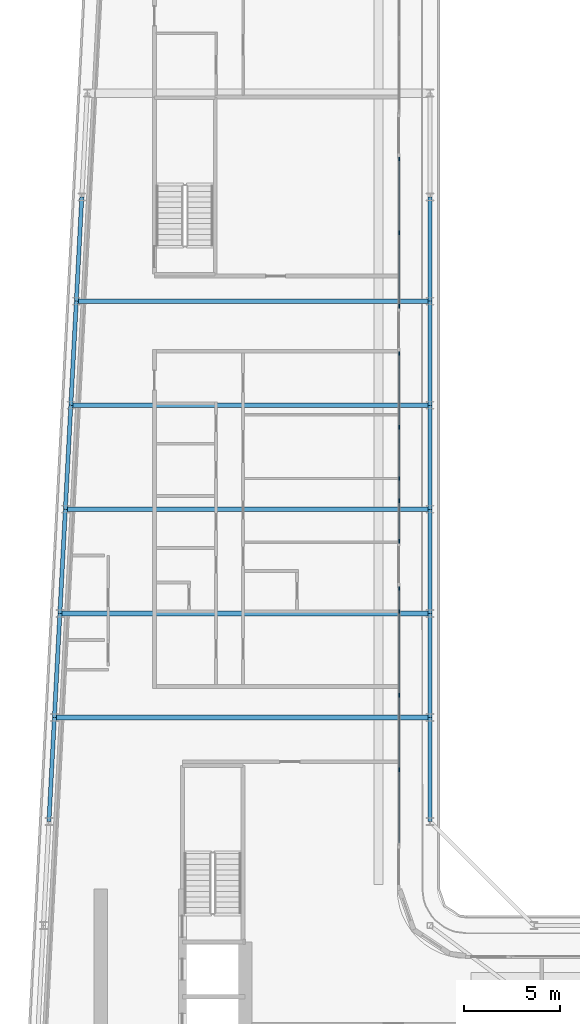
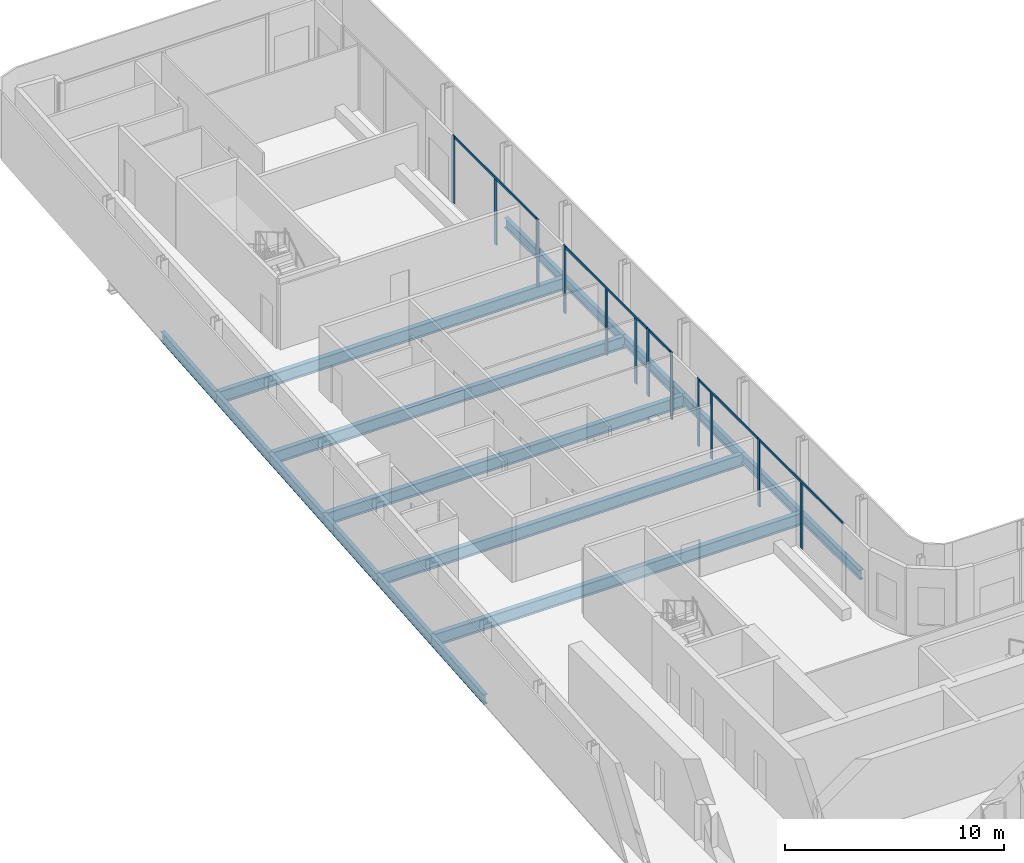
# One storey, part 6 of 23: 17 beams, 17 members, 5 elements without a shape of their own.
"""IFC4 building model written with IfcOpenShell, lengths in metres."""

from ifc_helpers import new_model, si_unit, direction, frame, origin, origin_2d, place, context, subcontext, project, spatial, rectangle, i_section, extrude, material, layer, layer_set, material_profile, profile_set, type_object, element, aggregate, save


model = new_model("IFC4")

# Units and contexts
model_context = context("Model", 3, precision=1e-05, world=origin(), true_north=direction((0.0, 1.0)))
body_context = subcontext(model_context, "Body", "Model", "MODEL_VIEW")
ifc_project = project(units=[si_unit("LENGTHUNIT", "METRE"), si_unit("AREAUNIT", "SQUARE_METRE"), si_unit("VOLUMEUNIT", "CUBIC_METRE"), si_unit("PLANEANGLEUNIT", "RADIAN"), si_unit("MASSUNIT", "GRAM", prefix="KILO")], contexts=[model_context])

# Site, building, storey
site_placement = place(None, origin())
site = spatial("IfcSite", under=ifc_project, at=site_placement, CompositionType="ELEMENT")
building_placement = place(site_placement, origin())
building = spatial("IfcBuilding", under=site, at=building_placement, Name="Kheshtan School and Residences Tower", CompositionType="ELEMENT")
storey_placement = place(building_placement, frame((0.0, 0.0, 239.60009765625)))
storey = spatial("IfcBuildingStorey", under=building, at=storey_placement, Name="L56", CompositionType="ELEMENT", Elevation=239.60009765625)

# Beams
ifc_material_1 = material(Name="Steel ASTM A992 Grade 50", Category="steel")
ifc_material_profile_1 = material_profile(ifc_material_1, i_section(OverallWidth=0.2529296875, OverallDepth=0.677978515625, WebThickness=0.01171875, FlangeThickness=0.016357421875, FilletRadius=0.0146484375, at=origin_2d()), Name="W690x125")
ifc_profile_set_1 = profile_set([ifc_material_profile_1], Name="Steel ASTM A992 Grade 50")
beam_type_1 = type_object("IfcBeamType", Name="Beam FB6 W690x125 ASTM A992 Grade 50", PredefinedType="BEAM", material=ifc_profile_set_1)
beam_1_placement = place(storey_placement, frame((47.60009765625, 78.0, -0.489013671875), z_axis=(-1.0, 0.0, 0.0), x_axis=(0.0, -1.0, 0.0)))
element("IfcBeam", 1, at=beam_1_placement, inside=storey, type_object=beam_type_1, Name="Floor beam C089", PredefinedType="BEAM", context=body_context, shape_type="SweptSolid", body=[
    extrude(i_section(OverallWidth=0.2529296875, OverallDepth=0.677978515625, WebThickness=0.01171875, FlangeThickness=0.016357421875, FilletRadius=0.0146484375, at=origin_2d()), origin(), (0.0, 0.0, 1.0), 18.357177734375),
])
beam_2_placement = place(storey_placement, frame((47.60009765625, 67.199951171875, -0.489013671875), z_axis=(-1.0, 0.0, 0.0), x_axis=(0.0, -1.0, 0.0)))
element("IfcBeam", 2, at=beam_2_placement, inside=storey, type_object=beam_type_1, Name="Floor beam C085", PredefinedType="BEAM", context=body_context, shape_type="SweptSolid", body=[
    extrude(i_section(OverallWidth=0.2529296875, OverallDepth=0.677978515625, WebThickness=0.01171875, FlangeThickness=0.016357421875, FilletRadius=0.0146484375, at=origin_2d()), origin(), (0.0, 0.0, 1.0), 18.926025390625),
])
beam_3_placement = place(storey_placement, frame((47.60009765625, 56.39990234375, -0.489013671875), z_axis=(-1.0, 0.0, 0.0), x_axis=(0.0, -1.0, 0.0)))
element("IfcBeam", 3, at=beam_3_placement, inside=storey, type_object=beam_type_1, Name="Floor beam C081", PredefinedType="BEAM", context=body_context, shape_type="SweptSolid", body=[
    extrude(i_section(OverallWidth=0.2529296875, OverallDepth=0.677978515625, WebThickness=0.01171875, FlangeThickness=0.016357421875, FilletRadius=0.0146484375, at=origin_2d()), origin(), (0.0, 0.0, 1.0), 19.494140625),
])
beam_4_placement = place(storey_placement, frame((28.389892578125, 61.800048828125, -0.489013671875), z_axis=(1.0, 0.0, 0.0), x_axis=(0.0, 1.0, 0.0)))
element("IfcBeam", 4, at=beam_4_placement, inside=storey, type_object=beam_type_1, Name="Floor beam C082", PredefinedType="BEAM", context=body_context, shape_type="SweptSolid", body=[
    extrude(i_section(OverallWidth=0.2529296875, OverallDepth=0.677978515625, WebThickness=0.01171875, FlangeThickness=0.016357421875, FilletRadius=0.0146484375, at=origin_2d()), origin(), (0.0, 0.0, 1.0), 19.210205078125),
])
beam_5_placement = place(storey_placement, frame((28.9580078125, 72.60009765625, -0.489013671875), z_axis=(1.0, 0.0, 0.0), x_axis=(0.0, 1.0, 0.0)))
element("IfcBeam", 5, at=beam_5_placement, inside=storey, type_object=beam_type_1, Name="Floor beam C086", PredefinedType="BEAM", context=body_context, shape_type="SweptSolid", body=[
    extrude(i_section(OverallWidth=0.2529296875, OverallDepth=0.677978515625, WebThickness=0.01171875, FlangeThickness=0.016357421875, FilletRadius=0.0146484375, at=origin_2d()), origin(), (0.0, 0.0, 1.0), 18.64208984375),
])
ifc_material_profile_2 = material_profile(ifc_material_1, i_section(OverallWidth=0.208984375, OverallDepth=0.532958984375, WebThickness=0.01025390625, FlangeThickness=0.015625, FilletRadius=0.013916015625, at=origin_2d()), Name="W530x92")
ifc_profile_set_2 = profile_set([ifc_material_profile_2], Name="Steel ASTM A992 Grade 50")
beam_type_2 = type_object("IfcBeamType", Name="Beam SP3 W530x92 ASTM A992 Grade 50", PredefinedType="BEAM", material=ifc_profile_set_2)
for number, where, z_axis, x_axis, name in (
    (6, (47.60009765625, 83.39990234375, -0.41650390625), (0.0, -1.0, 0.0), (1.0, 0.0, 0.0), "Spandrel beam C091-C089"),
    (7, (47.60009765625, 78.0, -0.41650390625), (0.0, -1.0, 0.0), (1.0, 0.0, 0.0), "Spandrel beam C089-C087"),
):
    element("IfcBeam", number, at=place(storey_placement, frame(where, z_axis=z_axis, x_axis=x_axis)), inside=storey, type_object=beam_type_2, Name=name, PredefinedType="BEAM", context=body_context, shape_type="SweptSolid", body=[
        extrude(i_section(OverallWidth=0.208984375, OverallDepth=0.532958984375, WebThickness=0.01025390625, FlangeThickness=0.015625, FilletRadius=0.013916015625, at=origin_2d()), origin(), (0.0, 0.0, 1.0), 5.39990234375),
    ])
beam_6_placement = place(storey_placement, frame((47.60009765625, 72.60009765625, -0.41650390625), z_axis=(0.0, -1.0, 0.0), x_axis=(1.0, 0.0, 0.0)))
element("IfcBeam", 8, at=beam_6_placement, inside=storey, type_object=beam_type_2, Name="Spandrel beam C087-C085", PredefinedType="BEAM", context=body_context, shape_type="SweptSolid", body=[
    extrude(i_section(OverallWidth=0.208984375, OverallDepth=0.532958984375, WebThickness=0.01025390625, FlangeThickness=0.015625, FilletRadius=0.013916015625, at=origin_2d()), origin(), (0.0, 0.0, 1.0), 5.400146484375),
])
beam_7_placement = place(storey_placement, frame((47.60009765625, 67.199951171875, -0.41650390625), z_axis=(0.0, -1.0, 0.0), x_axis=(1.0, 0.0, 0.0)))
element("IfcBeam", 9, at=beam_7_placement, inside=storey, type_object=beam_type_2, Name="Spandrel beam C085-C083", PredefinedType="BEAM", context=body_context, shape_type="SweptSolid", body=[
    extrude(i_section(OverallWidth=0.208984375, OverallDepth=0.532958984375, WebThickness=0.01025390625, FlangeThickness=0.015625, FilletRadius=0.013916015625, at=origin_2d()), origin(), (0.0, 0.0, 1.0), 5.39990234375),
])
beam_8_placement = place(storey_placement, frame((47.60009765625, 61.800048828125, -0.41650390625), z_axis=(0.0, -1.0, 0.0), x_axis=(1.0, 0.0, 0.0)))
element("IfcBeam", 10, at=beam_8_placement, inside=storey, type_object=beam_type_2, Name="Spandrel beam C083-C081", PredefinedType="BEAM", context=body_context, shape_type="SweptSolid", body=[
    extrude(i_section(OverallWidth=0.208984375, OverallDepth=0.532958984375, WebThickness=0.01025390625, FlangeThickness=0.015625, FilletRadius=0.013916015625, at=origin_2d()), origin(), (0.0, 0.0, 1.0), 5.400146484375),
])
beam_9_placement = place(storey_placement, frame((47.60009765625, 56.39990234375, -0.41650390625), z_axis=(0.0, -1.0, 0.0), x_axis=(1.0, 0.0, 0.0)))
element("IfcBeam", 11, at=beam_9_placement, inside=storey, type_object=beam_type_2, Name="Spandrel beam C081-C079", PredefinedType="BEAM", context=body_context, shape_type="SweptSolid", body=[
    extrude(i_section(OverallWidth=0.208984375, OverallDepth=0.532958984375, WebThickness=0.01025390625, FlangeThickness=0.015625, FilletRadius=0.013916015625, at=origin_2d()), origin(), (0.0, 0.0, 1.0), 5.39990234375),
])
beam_10_placement = place(storey_placement, frame((27.822021484375, 51.0, -0.41650390625), z_axis=(0.05250906864, 0.998620447272, 0.0), x_axis=(-0.998620447272, 0.05250906864, 0.0)))
element("IfcBeam", 12, at=beam_10_placement, inside=storey, type_object=beam_type_2, Name="Spandrel beam C078-C080", PredefinedType="BEAM", context=body_context, shape_type="SweptSolid", body=[
    extrude(i_section(OverallWidth=0.208984375, OverallDepth=0.532958984375, WebThickness=0.01025390625, FlangeThickness=0.015625, FilletRadius=0.013916015625, at=origin_2d()), origin(), (0.0, 0.0, 1.0), 5.407470703125),
])
beam_11_placement = place(storey_placement, frame((28.10595703125, 56.39990234375, -0.41650390625), z_axis=(0.05250670125, 0.998620571751, 0.0), x_axis=(-0.998620571751, 0.05250670125, 0.0)))
element("IfcBeam", 13, at=beam_11_placement, inside=storey, type_object=beam_type_2, Name="Spandrel beam C080-C082", PredefinedType="BEAM", context=body_context, shape_type="SweptSolid", body=[
    extrude(i_section(OverallWidth=0.208984375, OverallDepth=0.532958984375, WebThickness=0.01025390625, FlangeThickness=0.015625, FilletRadius=0.013916015625, at=origin_2d()), origin(), (0.0, 0.0, 1.0), 5.40771484375),
])
beam_12_placement = place(storey_placement, frame((28.389892578125, 61.800048828125, -0.41650390625), z_axis=(0.052554093665, 0.998618078766, 0.0), x_axis=(-0.998618078766, 0.052554093665, 0.0)))
element("IfcBeam", 14, at=beam_12_placement, inside=storey, type_object=beam_type_2, Name="Spandrel beam C082-C084", PredefinedType="BEAM", context=body_context, shape_type="SweptSolid", body=[
    extrude(i_section(OverallWidth=0.208984375, OverallDepth=0.532958984375, WebThickness=0.01025390625, FlangeThickness=0.015625, FilletRadius=0.013916015625, at=origin_2d()), origin(), (0.0, 0.0, 1.0), 5.407470703125),
])
beam_13_placement = place(storey_placement, frame((28.674072265625, 67.199951171875, -0.41650390625), z_axis=(0.05250670125, 0.998620571751, 0.0), x_axis=(-0.998620571751, 0.05250670125, 0.0)))
element("IfcBeam", 15, at=beam_13_placement, inside=storey, type_object=beam_type_2, Name="Spandrel beam C084-C086", PredefinedType="BEAM", context=body_context, shape_type="SweptSolid", body=[
    extrude(i_section(OverallWidth=0.208984375, OverallDepth=0.532958984375, WebThickness=0.01025390625, FlangeThickness=0.015625, FilletRadius=0.013916015625, at=origin_2d()), origin(), (0.0, 0.0, 1.0), 5.40771484375),
])
for number, where, z_axis, x_axis, name in (
    (16, (28.9580078125, 72.60009765625, -0.41650390625), (0.052689166816, 0.998610961136, 0.0), (-0.998610961136, 0.052689166816, 0.0), "Spandrel beam C086-C088"),
    (17, (29.242919921875, 78.0, -0.41650390625), (0.052554093665, 0.998618078766, 0.0), (-0.998618078766, 0.052554093665, 0.0), "Spandrel beam C088-C090"),
):
    element("IfcBeam", number, at=place(storey_placement, frame(where, z_axis=z_axis, x_axis=x_axis)), inside=storey, type_object=beam_type_2, Name=name, PredefinedType="BEAM", context=body_context, shape_type="SweptSolid", body=[
        extrude(i_section(OverallWidth=0.208984375, OverallDepth=0.532958984375, WebThickness=0.01025390625, FlangeThickness=0.015625, FilletRadius=0.013916015625, at=origin_2d()), origin(), (0.0, 0.0, 1.0), 5.407470703125),
    ])

# Curtain wall, members
ifc_material_2 = material(Name="Clear low-e glass in thermally broken aluminium frame", Category="aluminium")
ifc_layer = layer(ifc_material_2, 0.199951171875)
ifc_layer_set = layer_set([ifc_layer], Name="Curtain wall CW-L")
curtain_wall_type = type_object("IfcCurtainWallType", Name="Curtain wall CW-L", PredefinedType="NOTDEFINED", material=ifc_layer_set)
curtain_wall_1_placement = place(storey_placement, origin())
curtain_wall_1 = element("IfcCurtainWall", 18, at=curtain_wall_1_placement, inside=storey, type_object=curtain_wall_type, Name="Curtain wall CWL8", PredefinedType="NOTDEFINED")
ifc_material_3 = material(Name="Thermally broken aluminium, dark bronze anodised", Category="aluminium")
ifc_material_profile_3 = material_profile(ifc_material_3, rectangle(XDim=0.06005859375, YDim=0.199951171875, at=origin_2d()), Name="CW-L mullion 60x200")
ifc_profile_set_3 = profile_set([ifc_material_profile_3], Name="Thermally broken aluminium, dark bronze anodised")
member_type_1 = type_object("IfcMemberType", Name="CW-L mullion 60x200", PredefinedType="MULLION", material=ifc_profile_set_3)
member_1_placement = place(storey_placement, frame((46.0, 85.3759765625, 0.0), z_axis=(0.0, 0.0, 1.0), x_axis=(1.0, 0.0, 0.0)))
member_1 = element("IfcMember", 19, at=member_1_placement, type_object=member_type_1, Name="CWL8 mullion 1", PredefinedType="MULLION", context=body_context, shape_type="SweptSolid", body=[
    extrude(rectangle(XDim=0.06005859375, YDim=0.199951171875, at=origin_2d()), origin(), (0.0, 0.0, 1.0), 3.75),
])
member_2_placement = place(storey_placement, frame((46.0, 81.55908203125, 0.0), z_axis=(0.0, 0.0, 1.0), x_axis=(1.0, 0.0, 0.0)))
member_2 = element("IfcMember", 20, at=member_2_placement, type_object=member_type_1, Name="CWL8 mullion 2", PredefinedType="MULLION", context=body_context, shape_type="SweptSolid", body=[
    extrude(rectangle(XDim=0.06005859375, YDim=0.199951171875, at=origin_2d()), origin(), (0.0, 0.0, 1.0), 3.6298828125),
])
member_3_placement = place(storey_placement, frame((46.0, 77.741943359375, 0.0), z_axis=(0.0, 0.0, 1.0), x_axis=(1.0, 0.0, 0.0)))
member_3 = element("IfcMember", 21, at=member_3_placement, type_object=member_type_1, Name="CWL8 mullion 3", PredefinedType="MULLION", context=body_context, shape_type="SweptSolid", body=[
    extrude(rectangle(XDim=0.06005859375, YDim=0.199951171875, at=origin_2d()), origin(), (0.0, 0.0, 1.0), 3.75),
])

curtain_wall_2_placement = place(storey_placement, origin())
curtain_wall_2 = element("IfcCurtainWall", 22, at=curtain_wall_2_placement, inside=storey, type_object=curtain_wall_type, Name="Curtain wall CWL8c", PredefinedType="NOTDEFINED")
member_4_placement = place(storey_placement, frame((46.0, 75.281982421875, 0.0), z_axis=(0.0, 0.0, 1.0), x_axis=(1.0, 0.0, 0.0)))
member_4 = element("IfcMember", 23, at=member_4_placement, type_object=member_type_1, Name="CWL8c mullion 1", PredefinedType="MULLION", context=body_context, shape_type="SweptSolid", body=[
    extrude(rectangle(XDim=0.06005859375, YDim=0.199951171875, at=origin_2d()), origin(), (0.0, 0.0, 1.0), 3.75),
])
member_5_placement = place(storey_placement, frame((46.0, 71.465087890625, 0.0), z_axis=(0.0, 0.0, 1.0), x_axis=(1.0, 0.0, 0.0)))
member_5 = element("IfcMember", 24, at=member_5_placement, type_object=member_type_1, Name="CWL8c mullion 2", PredefinedType="MULLION", context=body_context, shape_type="SweptSolid", body=[
    extrude(rectangle(XDim=0.06005859375, YDim=0.199951171875, at=origin_2d()), origin(), (0.0, 0.0, 1.0), 3.6298828125),
])
member_6_placement = place(storey_placement, frame((46.0, 68.800048828125, 0.0), z_axis=(0.0, 0.0, 1.0), x_axis=(1.0, 0.0, 0.0)))
member_6 = element("IfcMember", 25, at=member_6_placement, type_object=member_type_1, Name="CWL8c mullion 3", PredefinedType="MULLION", context=body_context, shape_type="SweptSolid", body=[
    extrude(rectangle(XDim=0.06005859375, YDim=0.199951171875, at=origin_2d()), origin(), (0.0, 0.0, 1.0), 3.6298828125),
])
member_7_placement = place(storey_placement, frame((46.0, 67.64794921875, 0.0), z_axis=(0.0, 0.0, 1.0), x_axis=(1.0, 0.0, 0.0)))
member_7 = element("IfcMember", 26, at=member_7_placement, type_object=member_type_1, Name="CWL8c mullion 4", PredefinedType="MULLION", context=body_context, shape_type="SweptSolid", body=[
    extrude(rectangle(XDim=0.06005859375, YDim=0.199951171875, at=origin_2d()), origin(), (0.0, 0.0, 1.0), 3.75),
])

# Curtain wall, member
curtain_wall_3_placement = place(storey_placement, origin())
curtain_wall_3 = element("IfcCurtainWall", 27, at=curtain_wall_3_placement, inside=storey, type_object=curtain_wall_type, Name="Curtain wall CWL8i", PredefinedType="NOTDEFINED")
member_8_placement = place(storey_placement, frame((46.0, 65.548095703125, 0.0), z_axis=(0.0, 0.0, 1.0), x_axis=(1.0, 0.0, 0.0)))
member_8 = element("IfcMember", 28, at=member_8_placement, type_object=member_type_1, Name="CWL8i mullion 2", PredefinedType="MULLION", context=body_context, shape_type="SweptSolid", body=[
    extrude(rectangle(XDim=0.06005859375, YDim=0.199951171875, at=origin_2d()), origin(), (0.0, 0.0, 1.0), 3.75),
])

# Curtain wall, members
curtain_wall_4_placement = place(storey_placement, origin())
curtain_wall_4 = element("IfcCurtainWall", 29, at=curtain_wall_4_placement, inside=storey, type_object=curtain_wall_type, Name="Curtain wall CWL8l", PredefinedType="NOTDEFINED")
member_9_placement = place(storey_placement, frame((46.0, 63.087890625, 0.0), z_axis=(0.0, 0.0, 1.0), x_axis=(1.0, 0.0, 0.0)))
member_9 = element("IfcMember", 30, at=member_9_placement, type_object=member_type_1, Name="CWL8l mullion 1", PredefinedType="MULLION", context=body_context, shape_type="SweptSolid", body=[
    extrude(rectangle(XDim=0.06005859375, YDim=0.199951171875, at=origin_2d()), origin(), (0.0, 0.0, 1.0), 3.75),
])
member_10_placement = place(storey_placement, frame((46.0, 61.89990234375, 0.0), z_axis=(0.0, 0.0, 1.0), x_axis=(1.0, 0.0, 0.0)))
member_10 = element("IfcMember", 31, at=member_10_placement, type_object=member_type_1, Name="CWL8l mullion 2", PredefinedType="MULLION", context=body_context, shape_type="SweptSolid", body=[
    extrude(rectangle(XDim=0.06005859375, YDim=0.199951171875, at=origin_2d()), origin(), (0.0, 0.0, 1.0), 3.6298828125),
])
member_11_placement = place(storey_placement, frame((46.0, 57.553955078125, 0.0), z_axis=(0.0, 0.0, 1.0), x_axis=(1.0, 0.0, 0.0)))
member_11 = element("IfcMember", 32, at=member_11_placement, type_object=member_type_1, Name="CWL8l mullion 3", PredefinedType="MULLION", context=body_context, shape_type="SweptSolid", body=[
    extrude(rectangle(XDim=0.06005859375, YDim=0.199951171875, at=origin_2d()), origin(), (0.0, 0.0, 1.0), 3.75),
])

# Curtain wall, member
curtain_wall_5_placement = place(storey_placement, origin())
curtain_wall_5 = element("IfcCurtainWall", 33, at=curtain_wall_5_placement, inside=storey, type_object=curtain_wall_type, Name="Curtain wall CWL8", PredefinedType="NOTDEFINED")
member_12_placement = place(storey_placement, frame((46.0, 53.677001953125, 0.0), z_axis=(0.0, 0.0, 1.0), x_axis=(1.0, 0.0, 0.0)))
member_12 = element("IfcMember", 34, at=member_12_placement, type_object=member_type_1, Name="CWL8 mullion 2", PredefinedType="MULLION", context=body_context, shape_type="SweptSolid", body=[
    extrude(rectangle(XDim=0.06005859375, YDim=0.199951171875, at=origin_2d()), origin(), (0.0, 0.0, 1.0), 3.6298828125),
])

# Member
ifc_material_profile_4 = material_profile(ifc_material_3, rectangle(XDim=0.06005859375, YDim=0.1201171875, at=origin_2d()), Name="CW-L transom 60x120")
ifc_profile_set_4 = profile_set([ifc_material_profile_4], Name="Thermally broken aluminium, dark bronze anodised")
member_type_2 = type_object("IfcMemberType", Name="CW-L transom 60x120", PredefinedType="USERDEFINED", material=ifc_profile_set_4)
member_13_placement = place(storey_placement, frame((46.0, 85.345947265625, 3.68994140625), z_axis=(0.0, -1.0, 0.0), x_axis=(1.0, 0.0, 0.0)))
member_13 = element("IfcMember", 35, at=member_13_placement, type_object=member_type_2, Name="CWL8 transom 1", ObjectType="TRANSOM", PredefinedType="USERDEFINED", context=body_context, shape_type="SweptSolid", body=[
    extrude(rectangle(XDim=0.06005859375, YDim=0.1201171875, at=origin_2d()), origin(), (0.0, 0.0, 1.0), 7.573974609375),
])

aggregate(curtain_wall_1, [member_1, member_2, member_3, member_13])

member_14_placement = place(storey_placement, frame((46.0, 75.251953125, 3.68994140625), z_axis=(0.0, -1.0, 0.0), x_axis=(1.0, 0.0, 0.0)))
member_14 = element("IfcMember", 36, at=member_14_placement, type_object=member_type_2, Name="CWL8c transom 1", ObjectType="TRANSOM", PredefinedType="USERDEFINED", context=body_context, shape_type="SweptSolid", body=[
    extrude(rectangle(XDim=0.06005859375, YDim=0.1201171875, at=origin_2d()), origin(), (0.0, 0.0, 1.0), 7.573974609375),
])

aggregate(curtain_wall_2, [member_4, member_5, member_6, member_7, member_14])

member_15_placement = place(storey_placement, frame((46.0, 67.617919921875, 3.68994140625), z_axis=(0.0, -1.0, 0.0), x_axis=(1.0, 0.0, 0.0)))
member_15 = element("IfcMember", 37, at=member_15_placement, type_object=member_type_2, Name="CWL8i transom 1", ObjectType="TRANSOM", PredefinedType="USERDEFINED", context=body_context, shape_type="SweptSolid", body=[
    extrude(rectangle(XDim=0.06005859375, YDim=0.1201171875, at=origin_2d()), origin(), (0.0, 0.0, 1.0), 2.0400390625),
])

aggregate(curtain_wall_3, [member_8, member_15])

member_16_placement = place(storey_placement, frame((46.0, 63.05810546875, 3.68994140625), z_axis=(0.0, -1.0, 0.0), x_axis=(1.0, 0.0, 0.0)))
member_16 = element("IfcMember", 38, at=member_16_placement, type_object=member_type_2, Name="CWL8l transom 1", ObjectType="TRANSOM", PredefinedType="USERDEFINED", context=body_context, shape_type="SweptSolid", body=[
    extrude(rectangle(XDim=0.06005859375, YDim=0.1201171875, at=origin_2d()), origin(), (0.0, 0.0, 1.0), 5.47412109375),
])

aggregate(curtain_wall_4, [member_9, member_10, member_11, member_16])

member_17_placement = place(storey_placement, frame((46.0, 57.52392578125, 3.68994140625), z_axis=(0.0, -1.0, 0.0), x_axis=(1.0, 0.0, 0.0)))
member_17 = element("IfcMember", 39, at=member_17_placement, type_object=member_type_2, Name="CWL8 transom 1", ObjectType="TRANSOM", PredefinedType="USERDEFINED", context=body_context, shape_type="SweptSolid", body=[
    extrude(rectangle(XDim=0.06005859375, YDim=0.1201171875, at=origin_2d()), origin(), (0.0, 0.0, 1.0), 7.634033203125),
])

aggregate(curtain_wall_5, [member_12, member_17])

save(model, "model.ifc")
